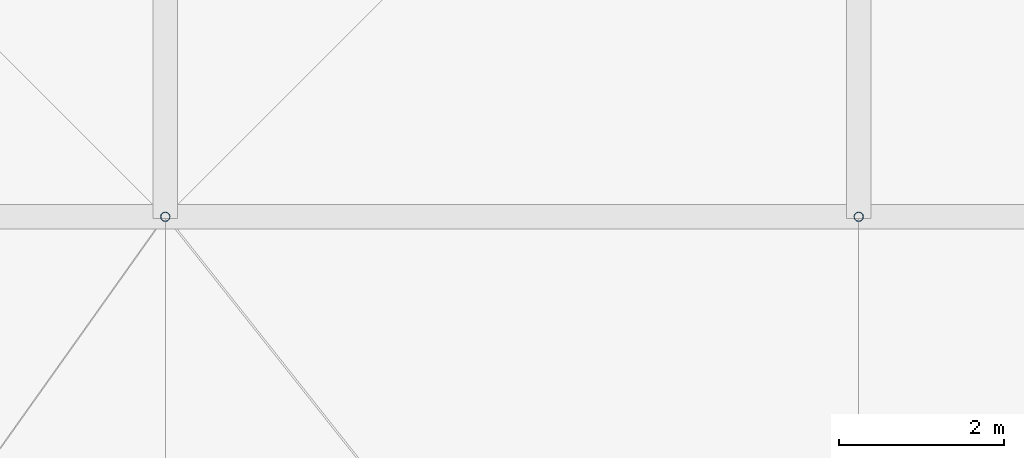
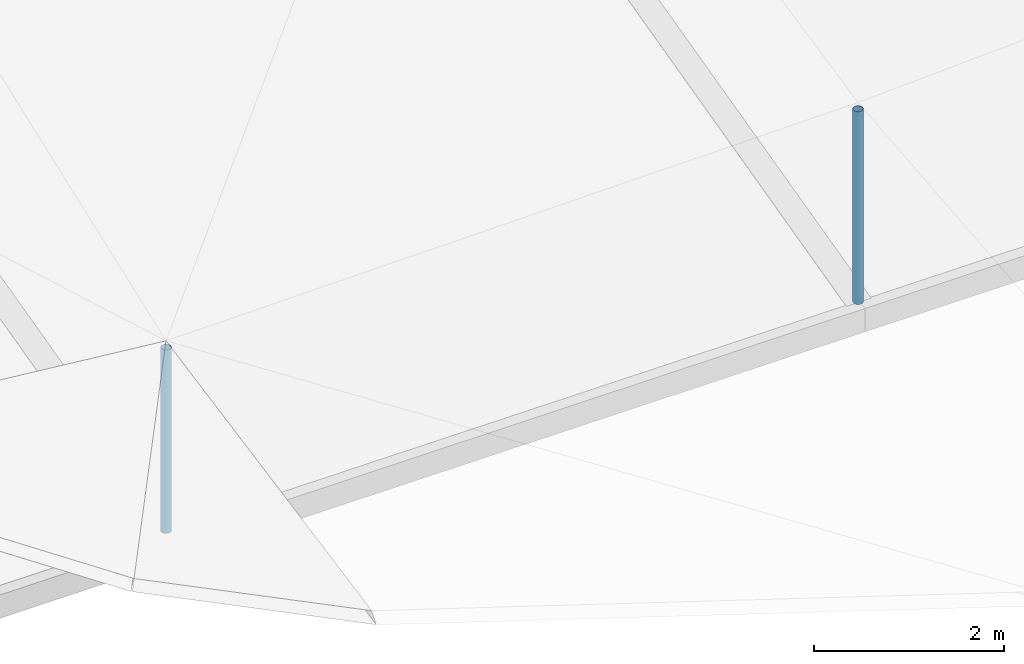
# One storey, part 35 of 111: 2 discrete accessories.
"""IFC4 building model written with IfcOpenShell, lengths in metres."""

from ifc_helpers import new_model, si_unit, direction, frame, origin, origin_2d, place, context, subcontext, project, spatial, hollow_circle, extrude, material, material_profile, profile_set, type_object, element, save


model = new_model("IFC4")

# Units and contexts
model_context = context("Model", 3, precision=1e-05, world=origin(), true_north=direction((0.0, 1.0)))
body_context = subcontext(model_context, "Body", "Model", "MODEL_VIEW")
ifc_project = project(units=[si_unit("LENGTHUNIT", "METRE"), si_unit("AREAUNIT", "SQUARE_METRE"), si_unit("VOLUMEUNIT", "CUBIC_METRE"), si_unit("PLANEANGLEUNIT", "RADIAN"), si_unit("MASSUNIT", "GRAM", prefix="KILO")], contexts=[model_context])

# Site, building, storey
site_placement = place(None, origin())
site = spatial("IfcSite", under=ifc_project, at=site_placement, CompositionType="ELEMENT")
building_placement = place(site_placement, origin())
building = spatial("IfcBuilding", under=site, at=building_placement, Name="Rain Tree Exposition and Congress Centre", CompositionType="ELEMENT")
storey_placement = place(building_placement, frame((0.0, 0.0, 19.5)))
storey = spatial("IfcBuildingStorey", under=building, at=storey_placement, Name="RF", CompositionType="ELEMENT", Elevation=19.5)

# Discrete accessories
ifc_material = material(Name="Steel S355J2H", Category="steel")
ifc_material_profile = material_profile(ifc_material, hollow_circle(Radius=0.05712890625, WallThickness=0.00439453125, at=origin_2d()), Name="CHS 114x4.5")
ifc_profile_set = profile_set([ifc_material_profile], Name="Steel S355J2H")
discrete_accessory_type = type_object("IfcDiscreteAccessoryType", Name="Roof skin post CHS 114x4.5", PredefinedType="BRACKET", material=ifc_profile_set)
discrete_accessory_1_placement = place(storey_placement, frame((100.800048828125, 109.199951171875, 1.11669921875), z_axis=(0.0, 0.0, 1.0), x_axis=(1.0, 0.0, 0.0)))
element("IfcDiscreteAccessory", 1, at=discrete_accessory_1_placement, inside=storey, type_object=discrete_accessory_type, Name="Roof skin post A27", PredefinedType="BRACKET", context=body_context, shape_type="SweptSolid", body=[
    extrude(hollow_circle(Radius=0.05712890625, WallThickness=0.00439453125, at=origin_2d()), origin(), (0.0, 0.0, 1.0), 2.355712890625),
])
discrete_accessory_2_placement = place(storey_placement, frame((109.199951171875, 109.199951171875, 1.11669921875), z_axis=(0.0, 0.0, 1.0), x_axis=(1.0, 0.0, 0.0)))
element("IfcDiscreteAccessory", 2, at=discrete_accessory_2_placement, inside=storey, type_object=discrete_accessory_type, Name="Roof skin post A28", PredefinedType="BRACKET", context=body_context, shape_type="SweptSolid", body=[
    extrude(hollow_circle(Radius=0.05712890625, WallThickness=0.00439453125, at=origin_2d()), origin(), (0.0, 0.0, 1.0), 2.472900390625),
])

save(model, "model.ifc")
